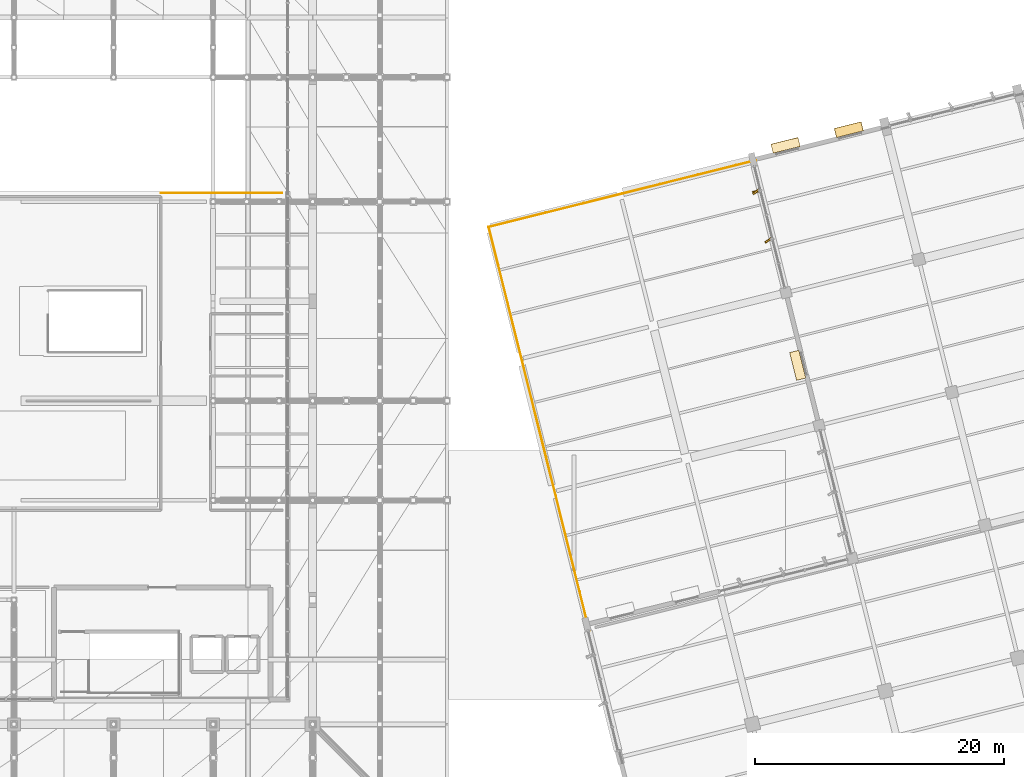
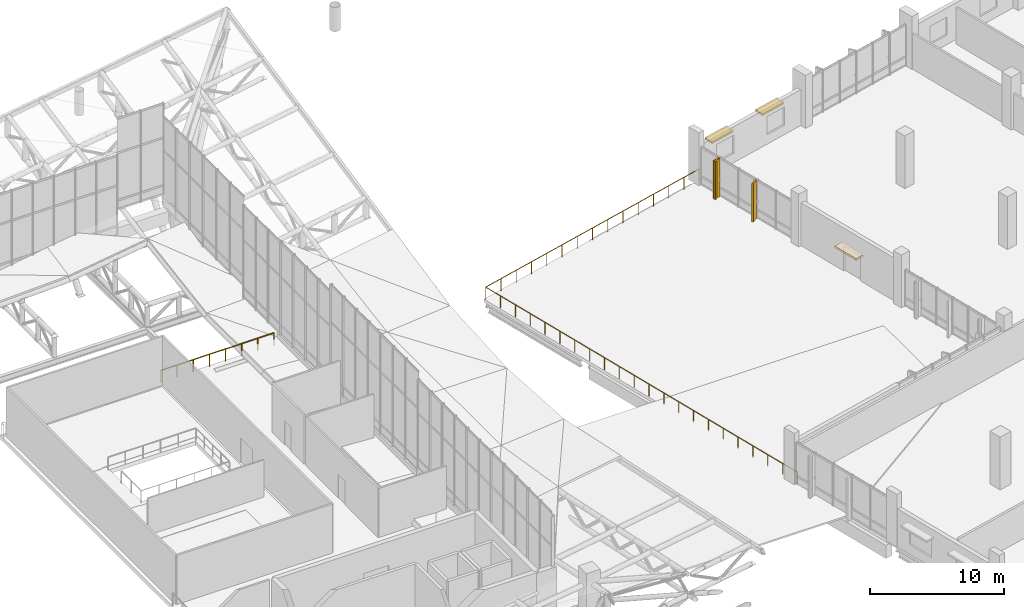
# One storey, part 136 of 137: 4 coverings, 4 shading devices, 2 railings.
"""IFC4 building model written with IfcOpenShell, lengths in metres."""

from ifc_helpers import new_model, si_unit, direction, frame, origin, origin_2d, place, context, subcontext, project, spatial, rectangle, extrude, material, layer, layer_set, type_object, element, save


model = new_model("IFC4")

# Units and contexts
model_context = context("Model", 3, precision=1e-05, world=origin(), true_north=direction((0.0, 1.0)))
body_context = subcontext(model_context, "Body", "Model", "MODEL_VIEW")
ifc_project = project(units=[si_unit("LENGTHUNIT", "METRE"), si_unit("AREAUNIT", "SQUARE_METRE"), si_unit("VOLUMEUNIT", "CUBIC_METRE"), si_unit("PLANEANGLEUNIT", "RADIAN"), si_unit("MASSUNIT", "GRAM", prefix="KILO")], contexts=[model_context])

# Site, building, storey
site_placement = place(None, origin())
site = spatial("IfcSite", under=ifc_project, at=site_placement, CompositionType="ELEMENT")
building_placement = place(site_placement, origin())
building = spatial("IfcBuilding", under=site, at=building_placement, Name="Khorjan Park Terminus", CompositionType="ELEMENT")
storey_placement = place(building_placement, frame((0.0, 0.0, 11.4)))
storey = spatial("IfcBuildingStorey", under=building, at=storey_placement, Name="L02", CompositionType="ELEMENT", Elevation=11.4)

# Coverings
ifc_material_1 = material(Name="Pigmented Precast GRC", Category="concrete")
ifc_layer_1 = layer(ifc_material_1, 0.16)
ifc_layer_set_1 = layer_set([ifc_layer_1], Name="Pigmented Precast GRC")
covering_type_1 = type_object("IfcCoveringType", Name="CV-FIN-GRC", PredefinedType="CLADDING", material=ifc_layer_set_1)
covering_1_placement = place(storey_placement, frame((171.6504, 68.8085, -0.02), z_axis=(0.0, 0.0, 1.0), x_axis=(0.970295726276, 0.2419218956, 0.0)))
element("IfcCovering", 1, at=covering_1_placement, inside=storey, type_object=covering_type_1, Name="Projecting desert-sandstone GRC facade fin CL-FN1 (CW-V5-NW1-L02-B01-1)", PredefinedType="CLADDING", context=body_context, shape_type="SweptSolid", body=[
    extrude(rectangle(XDim=0.58, YDim=0.16, at=origin_2d()), origin(), (0.0, 0.0, 1.0), 3.495),
])
ifc_layer_2 = layer(ifc_material_1, 0.18)
ifc_layer_set_2 = layer_set([ifc_layer_2], Name="Pigmented Precast GRC")
covering_type_2 = type_object("IfcCoveringType", Name="CV-HOOD-GRC", PredefinedType="CLADDING", material=ifc_layer_set_2)
for number, where, z_axis, x_axis, name in (
    (2, (179.0892, 73.789, 2.58), (0.0, 0.0, 1.0), (-0.970297370004, -0.241915302872, 0.0), "Projecting desert-sandstone GRC window eyebrow CL-HD1 (EW-V5-N1-L02-B04-1)"),
    (3, (174.0098, 72.5226, 2.58), (0.0, 0.0, 1.0), (-0.970297370004, -0.241915302872, 0.0), "Projecting desert-sandstone GRC window eyebrow CL-HD1 (EW-V5-N1-L02-B04-2)"),
):
    element("IfcCovering", number, at=place(storey_placement, frame(where, z_axis=z_axis, x_axis=x_axis)), inside=storey, type_object=covering_type_2, Name=name, PredefinedType="CLADDING", context=body_context, shape_type="SweptSolid", body=[
        extrude(rectangle(XDim=2.24, YDim=0.74, at=origin_2d()), origin(), (0.0, 0.0, 1.0), 0.16),
    ])
covering_2_placement = place(storey_placement, frame((174.9855, 54.8532, 2.31), z_axis=(0.0, 0.0, 1.0), x_axis=(0.241913941527, -0.970297709414, 0.0)))
element("IfcCovering", 4, at=covering_2_placement, inside=storey, type_object=covering_type_2, Name="Projecting pigmented-GRC entrance canopy hood CL-HD1 (EW-V5-NW1-L02-B02)", PredefinedType="CLADDING", context=body_context, shape_type="SweptSolid", body=[
    extrude(rectangle(XDim=2.3, YDim=0.76, at=origin_2d()), origin(), (0.0, 0.0, 1.0), 0.18),
])

# Railings
ifc_material_2 = material(Name="Anodized Bronze Aluminium & Laminated Glass", Category="aluminium")
railing_type = type_object("IfcRailingType", Name="GR-BAL", PredefinedType="BALUSTRADE", material=ifc_material_2)
railing_1_placement = place(storey_placement, frame((158.2418, 33.5298, 0.0)))
element("IfcRailing", 5, at=railing_1_placement, inside=storey, type_object=railing_type, Name="Perimeter safety guard GB-112 (L02-58)", PredefinedType="BALUSTRADE", context=body_context, shape_type="SweptSolid", body=[
    extrude(rectangle(XDim=0.048, YDim=0.048, at=origin_2d()), frame((0.0, 0.0, 1.096), z_axis=(-0.241921121256, 0.970295919341, 0.0), x_axis=(-0.970295919341, -0.241921121256, 0.0)), (0.0, 0.0, 1.0), 33.4299),
    extrude(rectangle(XDim=0.048, YDim=0.048, at=origin_2d()), frame((-8.0874, 32.4369, 1.096), z_axis=(0.970295514164, 0.241922746332, 0.0), x_axis=(-0.241922746332, 0.970295514164, 0.0)), (0.0, 0.0, 1.0), 22.1153),
    extrude(rectangle(XDim=0.042, YDim=0.042, at=origin_2d()), origin(), (0.0, 0.0, 1.0), 1.072),
    extrude(rectangle(XDim=0.042, YDim=0.042, at=origin_2d()), frame((-0.3851, 1.5446, 0.0)), (0.0, 0.0, 1.0), 1.072),
    extrude(rectangle(XDim=0.042, YDim=0.042, at=origin_2d()), frame((-0.7702, 3.0892, 0.0)), (0.0, 0.0, 1.0), 1.072),
    extrude(rectangle(XDim=0.042, YDim=0.042, at=origin_2d()), frame((-1.1553, 4.6338, 0.0)), (0.0, 0.0, 1.0), 1.072),
    extrude(rectangle(XDim=0.042, YDim=0.042, at=origin_2d()), frame((-1.5405, 6.1785, 0.0)), (0.0, 0.0, 1.0), 1.072),
    extrude(rectangle(XDim=0.042, YDim=0.042, at=origin_2d()), frame((-1.9256, 7.7231, 0.0)), (0.0, 0.0, 1.0), 1.072),
    extrude(rectangle(XDim=0.042, YDim=0.042, at=origin_2d()), frame((-2.3107, 9.2677, 0.0)), (0.0, 0.0, 1.0), 1.072),
    extrude(rectangle(XDim=0.042, YDim=0.042, at=origin_2d()), frame((-2.6958, 10.8123, 0.0)), (0.0, 0.0, 1.0), 1.072),
    extrude(rectangle(XDim=0.042, YDim=0.042, at=origin_2d()), frame((-3.0809, 12.3569, 0.0)), (0.0, 0.0, 1.0), 1.072),
    extrude(rectangle(XDim=0.042, YDim=0.042, at=origin_2d()), frame((-3.466, 13.9015, 0.0)), (0.0, 0.0, 1.0), 1.072),
    extrude(rectangle(XDim=0.042, YDim=0.042, at=origin_2d()), frame((-3.8511, 15.4461, 0.0)), (0.0, 0.0, 1.0), 1.072),
    extrude(rectangle(XDim=0.042, YDim=0.042, at=origin_2d()), frame((-4.2363, 16.9908, 0.0)), (0.0, 0.0, 1.0), 1.072),
    extrude(rectangle(XDim=0.042, YDim=0.042, at=origin_2d()), frame((-4.6214, 18.5354, 0.0)), (0.0, 0.0, 1.0), 1.072),
    extrude(rectangle(XDim=0.042, YDim=0.042, at=origin_2d()), frame((-5.0065, 20.08, 0.0)), (0.0, 0.0, 1.0), 1.072),
    extrude(rectangle(XDim=0.042, YDim=0.042, at=origin_2d()), frame((-5.3916, 21.6246, 0.0)), (0.0, 0.0, 1.0), 1.072),
    extrude(rectangle(XDim=0.042, YDim=0.042, at=origin_2d()), frame((-5.7767, 23.1692, 0.0)), (0.0, 0.0, 1.0), 1.072),
    extrude(rectangle(XDim=0.042, YDim=0.042, at=origin_2d()), frame((-6.1618, 24.7138, 0.0)), (0.0, 0.0, 1.0), 1.072),
    extrude(rectangle(XDim=0.042, YDim=0.042, at=origin_2d()), frame((-6.5469, 26.2584, 0.0)), (0.0, 0.0, 1.0), 1.072),
    extrude(rectangle(XDim=0.042, YDim=0.042, at=origin_2d()), frame((-6.9321, 27.8031, 0.0)), (0.0, 0.0, 1.0), 1.072),
    extrude(rectangle(XDim=0.042, YDim=0.042, at=origin_2d()), frame((-7.3172, 29.3477, 0.0)), (0.0, 0.0, 1.0), 1.072),
    extrude(rectangle(XDim=0.042, YDim=0.042, at=origin_2d()), frame((-7.7023, 30.8923, 0.0)), (0.0, 0.0, 1.0), 1.072),
    extrude(rectangle(XDim=0.042, YDim=0.042, at=origin_2d()), frame((-8.0874, 32.4369, 0.0)), (0.0, 0.0, 1.0), 1.072),
    extrude(rectangle(XDim=0.042, YDim=0.042, at=origin_2d()), frame((-6.5547, 32.8191, 0.0)), (0.0, 0.0, 1.0), 1.072),
    extrude(rectangle(XDim=0.042, YDim=0.042, at=origin_2d()), frame((-5.0219, 33.2012, 0.0)), (0.0, 0.0, 1.0), 1.072),
    extrude(rectangle(XDim=0.042, YDim=0.042, at=origin_2d()), frame((-3.4892, 33.5834, 0.0)), (0.0, 0.0, 1.0), 1.072),
    extrude(rectangle(XDim=0.042, YDim=0.042, at=origin_2d()), frame((-1.9564, 33.9655, 0.0)), (0.0, 0.0, 1.0), 1.072),
    extrude(rectangle(XDim=0.042, YDim=0.042, at=origin_2d()), frame((-0.4237, 34.3477, 0.0)), (0.0, 0.0, 1.0), 1.072),
    extrude(rectangle(XDim=0.042, YDim=0.042, at=origin_2d()), frame((1.1091, 34.7298, 0.0)), (0.0, 0.0, 1.0), 1.072),
    extrude(rectangle(XDim=0.042, YDim=0.042, at=origin_2d()), frame((2.6418, 35.112, 0.0)), (0.0, 0.0, 1.0), 1.072),
    extrude(rectangle(XDim=0.042, YDim=0.042, at=origin_2d()), frame((4.1745, 35.4942, 0.0)), (0.0, 0.0, 1.0), 1.072),
    extrude(rectangle(XDim=0.042, YDim=0.042, at=origin_2d()), frame((5.7073, 35.8763, 0.0)), (0.0, 0.0, 1.0), 1.072),
    extrude(rectangle(XDim=0.042, YDim=0.042, at=origin_2d()), frame((7.24, 36.2585, 0.0)), (0.0, 0.0, 1.0), 1.072),
    extrude(rectangle(XDim=0.042, YDim=0.042, at=origin_2d()), frame((8.7728, 36.6406, 0.0)), (0.0, 0.0, 1.0), 1.072),
    extrude(rectangle(XDim=0.042, YDim=0.042, at=origin_2d()), frame((10.3055, 37.0228, 0.0)), (0.0, 0.0, 1.0), 1.072),
    extrude(rectangle(XDim=0.042, YDim=0.042, at=origin_2d()), frame((11.8383, 37.4049, 0.0)), (0.0, 0.0, 1.0), 1.072),
    extrude(rectangle(XDim=0.042, YDim=0.042, at=origin_2d()), frame((13.371, 37.7871, 0.0)), (0.0, 0.0, 1.0), 1.072),
])
railing_2_placement = place(storey_placement, frame((123.8, 68.7, 0.0)))
element("IfcRailing", 6, at=railing_2_placement, inside=storey, type_object=railing_type, Name="Perimeter safety guard GB-112 (L02-78)", PredefinedType="BALUSTRADE", context=body_context, shape_type="SweptSolid", body=[
    extrude(rectangle(XDim=0.048, YDim=0.048, at=origin_2d()), frame((0.0, 0.0, 1.096), z_axis=(1.0, 0.0, 0.0), x_axis=(0.0, 1.0, 0.0)), (0.0, 0.0, 1.0), 9.725),
    extrude(rectangle(XDim=0.042, YDim=0.042, at=origin_2d()), origin(), (0.0, 0.0, 1.0), 1.072),
    extrude(rectangle(XDim=0.042, YDim=0.042, at=origin_2d()), frame((1.3893, 0.0, 0.0)), (0.0, 0.0, 1.0), 1.072),
    extrude(rectangle(XDim=0.042, YDim=0.042, at=origin_2d()), frame((2.7786, 0.0, 0.0)), (0.0, 0.0, 1.0), 1.072),
    extrude(rectangle(XDim=0.042, YDim=0.042, at=origin_2d()), frame((4.1679, 0.0, 0.0)), (0.0, 0.0, 1.0), 1.072),
    extrude(rectangle(XDim=0.042, YDim=0.042, at=origin_2d()), frame((5.5571, 0.0, 0.0)), (0.0, 0.0, 1.0), 1.072),
    extrude(rectangle(XDim=0.042, YDim=0.042, at=origin_2d()), frame((6.9464, 0.0, 0.0)), (0.0, 0.0, 1.0), 1.072),
    extrude(rectangle(XDim=0.042, YDim=0.042, at=origin_2d()), frame((8.3357, 0.0, 0.0)), (0.0, 0.0, 1.0), 1.072),
    extrude(rectangle(XDim=0.042, YDim=0.042, at=origin_2d()), frame((9.725, 0.0, 0.0)), (0.0, 0.0, 1.0), 1.072),
])

# Shading devices
ifc_material_3 = material(Name="Anodized Bronze Aluminium", Category="aluminium")
shading_device_type_1 = type_object("IfcShadingDeviceType", Name="SD-FIN-620", PredefinedType="JALOUSIE", material=ifc_material_3)
for number, where, z_axis, x_axis, name in (
    (7, (171.6504, 68.8085, -0.02), (0.0, 0.0, 1.0), (0.809016994375, 0.587785252292, 0.0), "Angled solar brise-soleil fin SF-62 (CW-V5-NW1-L02-B01-1)"),
    (8, (172.6245, 64.9018, -0.02), (0.0, 0.0, 1.0), (0.809016994375, 0.587785252292, 0.0), "Angled solar brise-soleil fin SF-62 (CW-V5-NW1-L02-B01-3)"),
):
    element("IfcShadingDevice", number, at=place(storey_placement, frame(where, z_axis=z_axis, x_axis=x_axis)), inside=storey, type_object=shading_device_type_1, Name=name, PredefinedType="JALOUSIE", context=body_context, shape_type="SweptSolid", body=[
        extrude(rectangle(XDim=0.62, YDim=0.14, at=origin_2d()), origin(), (0.0, 0.0, 1.0), 3.495),
    ])
shading_device_type_2 = type_object("IfcShadingDeviceType", Name="SD-SUN-750", PredefinedType="SHUTTER", material=ifc_material_3)
for number, where, z_axis, x_axis, name in (
    (9, (179.0892, 73.789, 2.51), (0.0, 0.0, 1.0), (-0.970297370004, -0.241915302872, 0.0), "Projecting solar overhang hood SH-75 (EW-V5-N1-L02-B04-1)"),
    (10, (174.0098, 72.5226, 2.51), (0.0, 0.0, 1.0), (-0.970297370004, -0.241915302872, 0.0), "Projecting solar overhang hood SH-75 (EW-V5-N1-L02-B04-2)"),
):
    element("IfcShadingDevice", number, at=place(storey_placement, frame(where, z_axis=z_axis, x_axis=x_axis)), inside=storey, type_object=shading_device_type_2, Name=name, PredefinedType="SHUTTER", context=body_context, shape_type="SweptSolid", body=[
        extrude(rectangle(XDim=2.16, YDim=0.76, at=origin_2d()), origin(), (0.0, 0.0, 1.0), 0.14),
    ])

save(model, "model.ifc")
